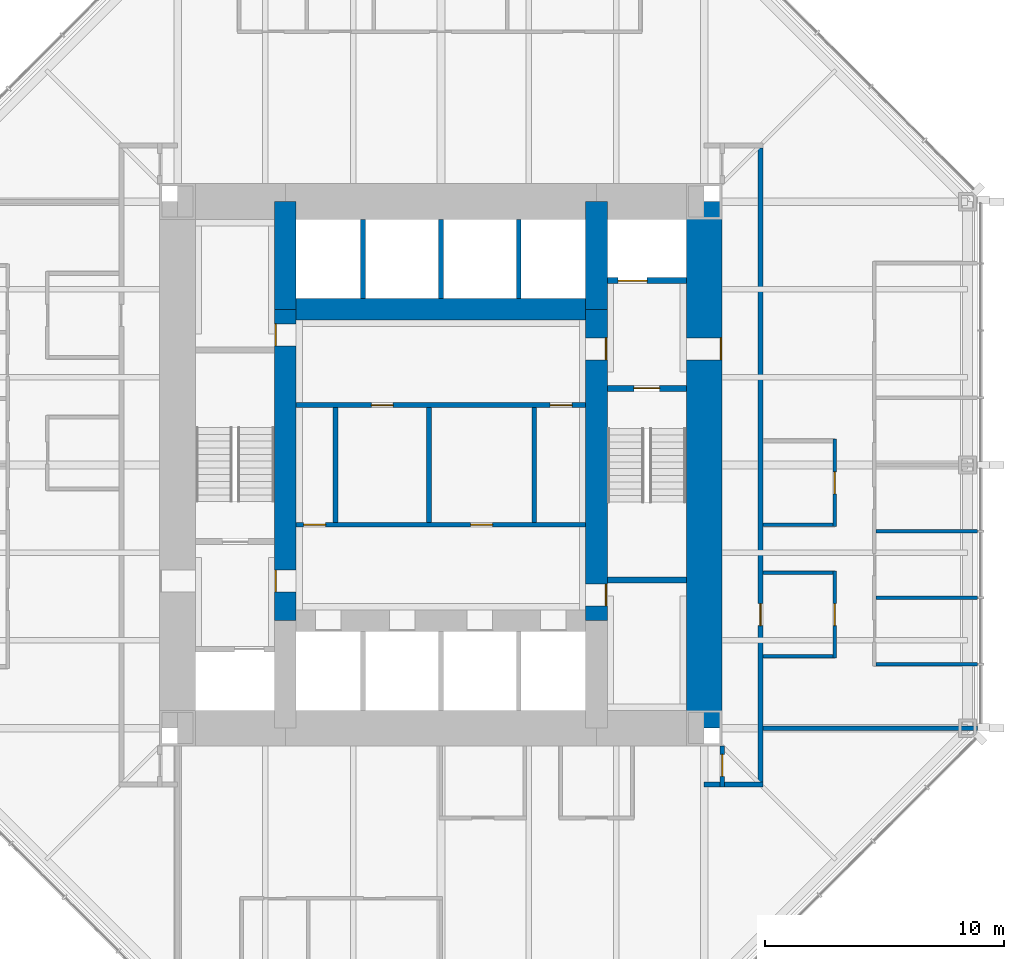
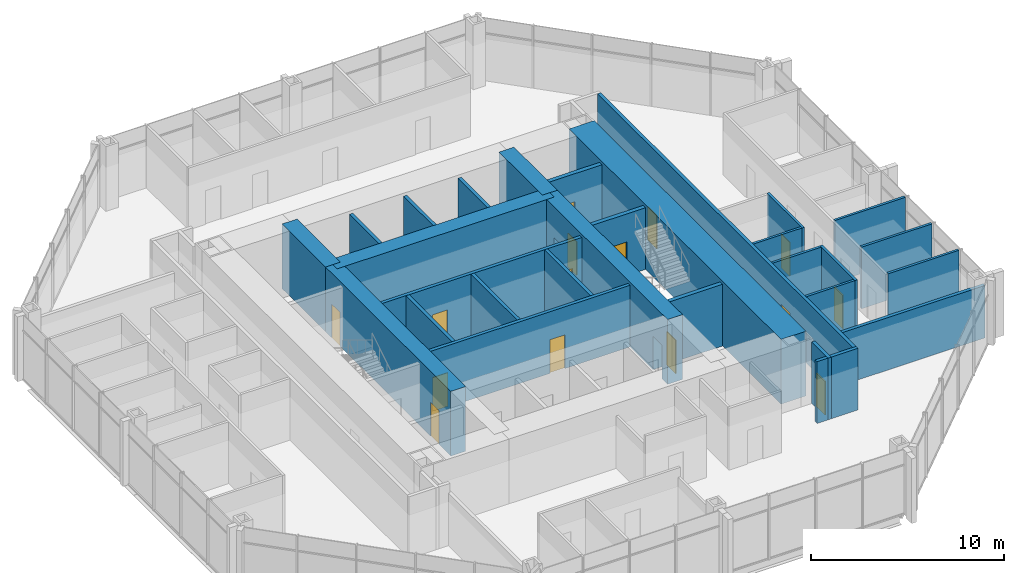
# One storey, part 10 of 12: 29 walls, 15 doors, 15 openings.
"""IFC4 building model written with IfcOpenShell, lengths in metres."""

from ifc_helpers import new_model, si_unit, direction, frame, frame_2d, origin, place, context, subcontext, project, spatial, rectangle, extrude, material, layer, layer_set, type_object, element, fill, save


model = new_model("IFC4")

# Units and contexts
model_context = context("Model", 3, precision=1e-05, world=origin(), true_north=direction((0.0, 1.0)))
body_context = subcontext(model_context, "Body", "Model", "MODEL_VIEW")
ifc_project = project(units=[si_unit("LENGTHUNIT", "METRE"), si_unit("AREAUNIT", "SQUARE_METRE"), si_unit("VOLUMEUNIT", "CUBIC_METRE"), si_unit("PLANEANGLEUNIT", "RADIAN"), si_unit("MASSUNIT", "GRAM", prefix="KILO")], contexts=[model_context])

# Site, building, storey
site_placement = place(None, origin())
site = spatial("IfcSite", under=ifc_project, at=site_placement, CompositionType="ELEMENT")
building_placement = place(site_placement, origin())
building = spatial("IfcBuilding", under=site, at=building_placement, Name="Trevanion Tower", CompositionType="ELEMENT")
storey_placement = place(building_placement, frame((0.0, 0.0, 117.199951171875)))
storey = spatial("IfcBuildingStorey", under=building, at=storey_placement, Name="L27", CompositionType="ELEMENT", Elevation=117.199951171875)

# Wall, opening, door
ifc_material_1 = material(Name="Concrete 10,000 psi", Category="concrete")
ifc_layer_1 = layer(ifc_material_1, 1.5)
ifc_layer_set_1 = layer_set([ifc_layer_1], Name="CW1 core wall 1500")
wall_type_1 = type_object("IfcWallType", Name="CW1 core wall 1500", PredefinedType="SHEAR", material=ifc_layer_set_1)
wall_1_placement = place(storey_placement, frame((11.0, -11.0, 0.0), z_axis=(0.0, 0.0, 1.0), x_axis=(0.0, 1.0, 0.0)))
wall_1 = element("IfcWall", 1, at=wall_1_placement, inside=storey, type_object=wall_type_1, Name="CW1 CE L27", PredefinedType="SHEAR", context=body_context, shape_type="SweptSolid", body=[
    extrude(rectangle(XDim=22.0, YDim=1.5, at=frame_2d((11.0, 0.0))), origin(), (0.0, 0.0, 1.0), 4.10009765625),
])
opening_1_placement = place(wall_1_placement, frame((15.392578125, 0.0, 0.0)))
opening_1 = element("IfcOpeningElement", 2, at=opening_1_placement, cuts=wall_1, Name="Opening 27-001", PredefinedType="OPENING", context=body_context, shape_type="SweptSolid", body=[
    extrude(rectangle(XDim=0.9150390625, YDim=2.134033203125, at=frame_2d((0.45751953125, 1.06689453125))), frame((0.0, 0.760009765625, 0.0), z_axis=(0.0, -1.0, 0.0), x_axis=(1.0, 0.0, 0.0)), (0.0, 0.0, 1.0), 1.52001953125),
])
ifc_material_2 = material(Name="Hollow metal, fire rated", Category="steel")
door_type_1 = type_object("IfcDoorType", Name="D3 fire lift lobby door", OperationType="SINGLE_SWING_RIGHT", PredefinedType="DOOR", material=ifc_material_2)
door_1_placement = place(opening_1_placement, origin())
door_1 = element("IfcDoor", 3, at=door_1_placement, inside=storey, type_object=door_type_1, Name="Door 27-001", OperationType="SINGLE_SWING_RIGHT", OverallHeight=2.134033203125, OverallWidth=0.9150390625, PredefinedType="DOOR", context=body_context, shape_type="SweptSolid", body=[
    extrude(rectangle(XDim=0.9150390625, YDim=2.134033203125, at=frame_2d((0.45751953125, 1.06689453125))), frame((0.0, -0.6748046875, 0.0), z_axis=(0.0, -1.0, 0.0), x_axis=(1.0, 0.0, 0.0)), (0.0, 0.0, 1.0), 0.050048828125),
])
fill(opening_1, door_1)

# Wall, openings, doors
ifc_material_3 = material(Name="Concrete 10,000 psi", Category="concrete")
ifc_layer_2 = layer(ifc_material_3, 0.89990234375)
ifc_layer_set_2 = layer_set([ifc_layer_2], Name="CW2 core wall 900")
wall_type_2 = type_object("IfcWallType", Name="CW2 core wall 900", PredefinedType="SHEAR", material=ifc_layer_set_2)
wall_2_placement = place(storey_placement, frame((6.5, -6.5, 0.0), z_axis=(0.0, 0.0, 1.0), x_axis=(0.0, 1.0, 0.0)))
wall_2 = element("IfcWall", 4, at=wall_2_placement, inside=storey, type_object=wall_type_2, Name="CW2 RE2 L27", PredefinedType="SHEAR", context=body_context, shape_type="SweptSolid", body=[
    extrude(rectangle(XDim=13.0, YDim=0.89990234375, at=frame_2d((6.5, 0.0))), origin(), (0.0, 0.0, 1.0), 4.10009765625),
])
opening_2_placement = place(wall_2_placement, frame((10.892578125, 0.0, 0.0)))
opening_2 = element("IfcOpeningElement", 5, at=opening_2_placement, cuts=wall_2, Name="Opening 27-003", PredefinedType="OPENING", context=body_context, shape_type="SweptSolid", body=[
    extrude(rectangle(XDim=0.9150390625, YDim=2.134033203125, at=frame_2d((0.45751953125, 1.06689453125))), frame((0.0, 0.4599609375, 0.0), z_axis=(0.0, -1.0, 0.0), x_axis=(1.0, 0.0, 0.0)), (0.0, 0.0, 1.0), 0.919921875),
])
opening_3_placement = place(wall_2_placement, frame((0.610107421875, 0.0, 0.0)))
opening_3 = element("IfcOpeningElement", 6, at=opening_3_placement, cuts=wall_2, Name="Opening 27-009", PredefinedType="OPENING", context=body_context, shape_type="SweptSolid", body=[
    extrude(rectangle(XDim=0.9150390625, YDim=2.134033203125, at=frame_2d((0.45751953125, 1.06689453125))), frame((0.0, 0.4599609375, 0.0), z_axis=(0.0, -1.0, 0.0), x_axis=(1.0, 0.0, 0.0)), (0.0, 0.0, 1.0), 0.919921875),
])
door_2_placement = place(opening_2_placement, origin())
door_2 = element("IfcDoor", 7, at=door_2_placement, inside=storey, type_object=door_type_1, Name="Door 27-003", OperationType="SINGLE_SWING_RIGHT", OverallHeight=2.134033203125, OverallWidth=0.9150390625, PredefinedType="DOOR", context=body_context, shape_type="SweptSolid", body=[
    extrude(rectangle(XDim=0.9150390625, YDim=2.134033203125, at=frame_2d((0.45751953125, 1.06689453125))), frame((0.0, -0.375, 0.0), z_axis=(0.0, -1.0, 0.0), x_axis=(1.0, 0.0, 0.0)), (0.0, 0.0, 1.0), 0.050048828125),
])
fill(opening_2, door_2)
ifc_material_4 = material(Name="Hollow metal, fire rated", Category="steel")
door_type_2 = type_object("IfcDoorType", Name="D5 service room door", OperationType="SINGLE_SWING_RIGHT", PredefinedType="DOOR", material=ifc_material_4)
door_3_placement = place(opening_3_placement, origin())
door_3 = element("IfcDoor", 8, at=door_3_placement, inside=storey, type_object=door_type_2, Name="Door 27-009", OperationType="SINGLE_SWING_RIGHT", OverallHeight=2.134033203125, OverallWidth=0.9150390625, PredefinedType="DOOR", context=body_context, shape_type="SweptSolid", body=[
    extrude(rectangle(XDim=0.9150390625, YDim=2.134033203125, at=frame_2d((0.45751953125, 1.06689453125))), frame((0.0, -0.375, 0.0), z_axis=(0.0, -1.0, 0.0), x_axis=(1.0, 0.0, 0.0)), (0.0, 0.0, 1.0), 0.050048828125),
])
fill(opening_3, door_3)

# Walls
for number, where, z_axis, x_axis, name in (
    (9, (6.5, 6.5, 0.0), (0.0, 0.0, 1.0), (0.0, 1.0, 0.0), "CW2 RE3 L27"),
    (10, (-6.5, 11.0, 0.0), (0.0, 0.0, 1.0), (0.0, -1.0, 0.0), "CW2 RW1 L27"),
):
    element("IfcWall", number, at=place(storey_placement, frame(where, z_axis=z_axis, x_axis=x_axis)), inside=storey, type_object=wall_type_2, Name=name, PredefinedType="SHEAR", context=body_context, shape_type="SweptSolid", body=[
        extrude(rectangle(XDim=4.5, YDim=0.89990234375, at=frame_2d((2.25, 0.0))), origin(), (0.0, 0.0, 1.0), 4.10009765625),
    ])

# Wall, openings, doors
wall_3_placement = place(storey_placement, frame((-6.5, 6.5, 0.0), z_axis=(0.0, 0.0, 1.0), x_axis=(0.0, -1.0, 0.0)))
wall_3 = element("IfcWall", 11, at=wall_3_placement, inside=storey, type_object=wall_type_2, Name="CW2 RW2 L27", PredefinedType="SHEAR", context=body_context, shape_type="SweptSolid", body=[
    extrude(rectangle(XDim=13.0, YDim=0.89990234375, at=frame_2d((6.5, 0.0))), origin(), (0.0, 0.0, 1.0), 4.10009765625),
])
opening_4_placement = place(wall_3_placement, frame((10.892578125, 0.0, 0.0)))
opening_4 = element("IfcOpeningElement", 12, at=opening_4_placement, cuts=wall_3, Name="Opening 27-004", PredefinedType="OPENING", context=body_context, shape_type="SweptSolid", body=[
    extrude(rectangle(XDim=0.9150390625, YDim=2.134033203125, at=frame_2d((0.45751953125, 1.06689453125))), frame((0.0, 0.4599609375, 0.0), z_axis=(0.0, -1.0, 0.0), x_axis=(1.0, 0.0, 0.0)), (0.0, 0.0, 1.0), 0.919921875),
])
opening_5_placement = place(wall_3_placement, frame((0.610107421875, 0.0, 0.0)))
opening_5 = element("IfcOpeningElement", 13, at=opening_5_placement, cuts=wall_3, Name="Opening 27-010", PredefinedType="OPENING", context=body_context, shape_type="SweptSolid", body=[
    extrude(rectangle(XDim=0.9150390625, YDim=2.134033203125, at=frame_2d((0.45751953125, 1.06689453125))), frame((0.0, 0.4599609375, 0.0), z_axis=(0.0, -1.0, 0.0), x_axis=(1.0, 0.0, 0.0)), (0.0, 0.0, 1.0), 0.919921875),
])
door_4_placement = place(opening_4_placement, origin())
door_4 = element("IfcDoor", 14, at=door_4_placement, inside=storey, type_object=door_type_1, Name="Door 27-004", OperationType="SINGLE_SWING_RIGHT", OverallHeight=2.134033203125, OverallWidth=0.9150390625, PredefinedType="DOOR", context=body_context, shape_type="SweptSolid", body=[
    extrude(rectangle(XDim=0.9150390625, YDim=2.134033203125, at=frame_2d((0.45751953125, 1.06689453125))), frame((0.0, -0.375, 0.0), z_axis=(0.0, -1.0, 0.0), x_axis=(1.0, 0.0, 0.0)), (0.0, 0.0, 1.0), 0.050048828125),
])
fill(opening_4, door_4)
door_5_placement = place(opening_5_placement, origin())
door_5 = element("IfcDoor", 15, at=door_5_placement, inside=storey, type_object=door_type_2, Name="Door 27-010", OperationType="SINGLE_SWING_RIGHT", OverallHeight=2.134033203125, OverallWidth=0.9150390625, PredefinedType="DOOR", context=body_context, shape_type="SweptSolid", body=[
    extrude(rectangle(XDim=0.9150390625, YDim=2.134033203125, at=frame_2d((0.45751953125, 1.06689453125))), frame((0.0, -0.375, 0.0), z_axis=(0.0, -1.0, 0.0), x_axis=(1.0, 0.0, 0.0)), (0.0, 0.0, 1.0), 0.050048828125),
])
fill(opening_5, door_5)

# Walls
wall_4_placement = place(storey_placement, frame((6.5, 6.5, 0.0), z_axis=(0.0, 0.0, 1.0), x_axis=(-1.0, 0.0, 0.0)))
element("IfcWall", 16, at=wall_4_placement, inside=storey, type_object=wall_type_2, Name="CW2 RN L27", PredefinedType="SHEAR", context=body_context, shape_type="SweptSolid", body=[
    extrude(rectangle(XDim=13.0, YDim=0.89990234375, at=frame_2d((6.5, 0.0))), origin(), (0.0, 0.0, 1.0), 4.10009765625),
])
ifc_material_5 = material(Name="Gypsum board on steel studs", Category="steel")
ifc_layer_3 = layer(ifc_material_5, 0.14990234375)
ifc_layer_set_3 = layer_set([ifc_layer_3], Name="PT1 partition 150")
wall_type_3 = type_object("IfcWallType", Name="PT1 partition 150", PredefinedType="PARTITIONING", material=ifc_layer_set_3)
for number, where, z_axis, x_axis, name in (
    (17, (18.175048828125, -8.322998046875, 0.0), (0.0, 0.0, 1.0), (1.0, 0.0, 0.0), "PT1 L27 FC0S0"),
    (18, (18.175048828125, -5.549072265625, 0.0), (0.0, 0.0, 1.0), (1.0, 0.0, 0.0), "PT1 L27 FC0S1"),
    (19, (18.175048828125, -2.77490234375, 0.0), (0.0, 0.0, 1.0), (1.0, 0.0, 0.0), "PT1 L27 FC0S2"),
):
    element("IfcWall", number, at=place(storey_placement, frame(where, z_axis=z_axis, x_axis=x_axis)), inside=storey, type_object=wall_type_3, Name=name, PredefinedType="PARTITIONING", context=body_context, shape_type="SweptSolid", body=[
        extrude(rectangle(XDim=4.239990234375, YDim=0.14990234375, at=frame_2d((2.1201171875, 0.0))), origin(), (0.0, 0.0, 1.0), 3.91015625),
    ])

# Wall, opening, door
wall_5_placement = place(storey_placement, frame((16.449951171875, -8.074951171875, 0.0), z_axis=(0.0, 0.0, 1.0), x_axis=(0.0, 1.0, 0.0)))
wall_5 = element("IfcWall", 20, at=wall_5_placement, inside=storey, type_object=wall_type_3, Name="PT1 L27 IN00F", PredefinedType="PARTITIONING", context=body_context, shape_type="SweptSolid", body=[
    extrude(rectangle(XDim=3.64990234375, YDim=0.14990234375, at=frame_2d((1.824951171875, 0.0))), origin(), (0.0, 0.0, 1.0), 3.91015625),
])
opening_6_placement = place(wall_5_placement, frame((1.367431640625, 0.0, 0.0)))
opening_6 = element("IfcOpeningElement", 21, at=opening_6_placement, cuts=wall_5, Name="Opening 27-039", PredefinedType="OPENING", context=body_context, shape_type="SweptSolid", body=[
    extrude(rectangle(XDim=0.9150390625, YDim=2.134033203125, at=frame_2d((0.45751953125, 1.06689453125))), frame((0.0, 0.0849609375, 0.0), z_axis=(0.0, -1.0, 0.0), x_axis=(1.0, 0.0, 0.0)), (0.0, 0.0, 1.0), 0.169921875),
])
ifc_material_6 = material(Name="Timber veneer, solid core", Category="wood")
door_type_3 = type_object("IfcDoorType", Name="D1 office and meeting room door", OperationType="SINGLE_SWING_LEFT", PredefinedType="DOOR", material=ifc_material_6)
door_6_placement = place(opening_6_placement, origin())
door_6 = element("IfcDoor", 22, at=door_6_placement, inside=storey, type_object=door_type_3, Name="Door 27-039", OperationType="SINGLE_SWING_LEFT", OverallHeight=2.134033203125, OverallWidth=0.9150390625, PredefinedType="DOOR", context=body_context, shape_type="SweptSolid", body=[
    extrude(rectangle(XDim=0.9150390625, YDim=2.134033203125, at=frame_2d((0.45751953125, 1.06689453125))), frame((0.0, 0.02490234375, 0.0), z_axis=(0.0, -1.0, 0.0), x_axis=(1.0, 0.0, 0.0)), (0.0, 0.0, 1.0), 0.050048828125),
])
fill(opening_6, door_6)

# Walls
for number, where, z_axis, x_axis, name in (
    (23, (16.375, -8.0, 0.0), (0.0, 0.0, 1.0), (-1.0, 0.0, 0.0), "PT1 L27 IN00S0"),
    (24, (16.375, -4.5, 0.0), (0.0, 0.0, 1.0), (-1.0, 0.0, 0.0), "PT1 L27 IN00S1"),
):
    element("IfcWall", number, at=place(storey_placement, frame(where, z_axis=z_axis, x_axis=x_axis)), inside=storey, type_object=wall_type_3, Name=name, PredefinedType="PARTITIONING", context=body_context, shape_type="SweptSolid", body=[
        extrude(rectangle(XDim=2.925048828125, YDim=0.14990234375, at=frame_2d((1.46240234375, 0.0))), origin(), (0.0, 0.0, 1.0), 3.91015625),
    ])

# Wall, opening, door
wall_6_placement = place(storey_placement, frame((16.449951171875, -2.574951171875, 0.0), z_axis=(0.0, 0.0, 1.0), x_axis=(0.0, 1.0, 0.0)))
wall_6 = element("IfcWall", 25, at=wall_6_placement, inside=storey, type_object=wall_type_3, Name="PT1 L27 IN01F", PredefinedType="PARTITIONING", context=body_context, shape_type="SweptSolid", body=[
    extrude(rectangle(XDim=3.64990234375, YDim=0.14990234375, at=frame_2d((1.824951171875, 0.0))), origin(), (0.0, 0.0, 1.0), 3.91015625),
])
opening_7_placement = place(wall_6_placement, frame((1.367431640625, 0.0, 0.0)))
opening_7 = element("IfcOpeningElement", 26, at=opening_7_placement, cuts=wall_6, Name="Opening 27-041", PredefinedType="OPENING", context=body_context, shape_type="SweptSolid", body=[
    extrude(rectangle(XDim=0.9150390625, YDim=2.134033203125, at=frame_2d((0.45751953125, 1.06689453125))), frame((0.0, 0.0849609375, 0.0), z_axis=(0.0, -1.0, 0.0), x_axis=(1.0, 0.0, 0.0)), (0.0, 0.0, 1.0), 0.169921875),
])
door_7_placement = place(opening_7_placement, origin())
door_7 = element("IfcDoor", 27, at=door_7_placement, inside=storey, type_object=door_type_3, Name="Door 27-041", OperationType="SINGLE_SWING_LEFT", OverallHeight=2.134033203125, OverallWidth=0.9150390625, PredefinedType="DOOR", context=body_context, shape_type="SweptSolid", body=[
    extrude(rectangle(XDim=0.9150390625, YDim=2.134033203125, at=frame_2d((0.45751953125, 1.06689453125))), frame((0.0, 0.02490234375, 0.0), z_axis=(0.0, -1.0, 0.0), x_axis=(1.0, 0.0, 0.0)), (0.0, 0.0, 1.0), 0.050048828125),
])
fill(opening_7, door_7)

# Walls
wall_7_placement = place(storey_placement, frame((16.375, -2.5, 0.0), z_axis=(0.0, 0.0, 1.0), x_axis=(-1.0, 0.0, 0.0)))
element("IfcWall", 28, at=wall_7_placement, inside=storey, type_object=wall_type_3, Name="PT1 L27 IN01S0", PredefinedType="PARTITIONING", context=body_context, shape_type="SweptSolid", body=[
    extrude(rectangle(XDim=2.925048828125, YDim=0.14990234375, at=frame_2d((1.46240234375, 0.0))), origin(), (0.0, 0.0, 1.0), 3.91015625),
])
ifc_material_7 = material(Name="Concrete masonry, grouted", Category="masonry")
ifc_layer_4 = layer(ifc_material_7, 0.199951171875)
ifc_layer_set_4 = layer_set([ifc_layer_4], Name="PT2 partition 200")
wall_type_4 = type_object("IfcWallType", Name="PT2 partition 200", PredefinedType="PARTITIONING", material=ifc_layer_set_4)
for number, where, z_axis, x_axis, name in (
    (29, (-4.39990234375, -2.39990234375, 0.0), (0.0, 0.0, 1.0), (0.0, 1.0, 0.0), "PT2 L27 TP1"),
    (30, (-0.5, -2.39990234375, 0.0), (0.0, 0.0, 1.0), (0.0, 1.0, 0.0), "PT2 L27 TP2"),
    (31, (3.89990234375, -2.39990234375, 0.0), (0.0, 0.0, 1.0), (0.0, 1.0, 0.0), "PT2 L27 TP3"),
):
    element("IfcWall", number, at=place(storey_placement, frame(where, z_axis=z_axis, x_axis=x_axis)), inside=storey, type_object=wall_type_4, Name=name, PredefinedType="PARTITIONING", context=body_context, shape_type="SweptSolid", body=[
        extrude(rectangle(XDim=4.7998046875, YDim=0.199951171875, at=frame_2d((2.39990234375, 0.0))), origin(), (0.0, 0.0, 1.0), 3.91015625),
    ])

# Wall, openings, doors
ifc_material_8 = material(Name="Concrete masonry, grouted", Category="masonry")
ifc_layer_5 = layer(ifc_material_8, 0.199951171875)
ifc_layer_set_5 = layer_set([ifc_layer_5], Name="PT2 partition 200 1 HR")
wall_type_5 = type_object("IfcWallType", Name="PT2 partition 200 1 HR", PredefinedType="PARTITIONING", material=ifc_layer_set_5)
wall_8_placement = place(storey_placement, frame((-6.050048828125, 2.5, 0.0), z_axis=(0.0, 0.0, 1.0), x_axis=(1.0, 0.0, 0.0)))
wall_8 = element("IfcWall", 32, at=wall_8_placement, inside=storey, type_object=wall_type_5, Name="PT2 L27 CP1", PredefinedType="PARTITIONING", context=body_context, shape_type="SweptSolid", body=[
    extrude(rectangle(XDim=12.10009765625, YDim=0.199951171875, at=frame_2d((6.050048828125, 0.0))), origin(), (0.0, 0.0, 1.0), 3.91015625),
])
opening_8_placement = place(wall_8_placement, frame((3.142578125, 0.0, 0.0)))
opening_8 = element("IfcOpeningElement", 33, at=opening_8_placement, cuts=wall_8, Name="Opening 27-016", PredefinedType="OPENING", context=body_context, shape_type="SweptSolid", body=[
    extrude(rectangle(XDim=0.9150390625, YDim=2.134033203125, at=frame_2d((0.45751953125, 1.06689453125))), frame((0.0, 0.10986328125, 0.0), z_axis=(0.0, -1.0, 0.0), x_axis=(1.0, 0.0, 0.0)), (0.0, 0.0, 1.0), 0.219970703125),
])
opening_9_placement = place(wall_8_placement, frame((10.617431640625, 0.0, 0.0)))
opening_9 = element("IfcOpeningElement", 34, at=opening_9_placement, cuts=wall_8, Name="Opening 27-018", PredefinedType="OPENING", context=body_context, shape_type="SweptSolid", body=[
    extrude(rectangle(XDim=0.9150390625, YDim=2.134033203125, at=frame_2d((0.45751953125, 1.06689453125))), frame((0.0, 0.10986328125, 0.0), z_axis=(0.0, -1.0, 0.0), x_axis=(1.0, 0.0, 0.0)), (0.0, 0.0, 1.0), 0.219970703125),
])
ifc_material_9 = material(Name="Plastic laminate on fire-rated core", Category="wood")
door_type_4 = type_object("IfcDoorType", Name="D12 toilet door in a one hour wall", OperationType="SINGLE_SWING_LEFT", PredefinedType="DOOR", material=ifc_material_9)
door_8_placement = place(opening_8_placement, origin())
door_8 = element("IfcDoor", 35, at=door_8_placement, inside=storey, type_object=door_type_4, Name="Door 27-016", OperationType="SINGLE_SWING_LEFT", OverallHeight=2.134033203125, OverallWidth=0.9150390625, PredefinedType="DOOR", context=body_context, shape_type="SweptSolid", body=[
    extrude(rectangle(XDim=0.9150390625, YDim=2.134033203125, at=frame_2d((0.45751953125, 1.06689453125))), frame((0.0, 0.02490234375, 0.0), z_axis=(0.0, -1.0, 0.0), x_axis=(1.0, 0.0, 0.0)), (0.0, 0.0, 1.0), 0.050048828125),
])
fill(opening_8, door_8)
door_9_placement = place(opening_9_placement, origin())
door_9 = element("IfcDoor", 36, at=door_9_placement, inside=storey, type_object=door_type_4, Name="Door 27-018", OperationType="SINGLE_SWING_LEFT", OverallHeight=2.134033203125, OverallWidth=0.9150390625, PredefinedType="DOOR", context=body_context, shape_type="SweptSolid", body=[
    extrude(rectangle(XDim=0.9150390625, YDim=2.134033203125, at=frame_2d((0.45751953125, 1.06689453125))), frame((0.0, 0.02490234375, 0.0), z_axis=(0.0, -1.0, 0.0), x_axis=(1.0, 0.0, 0.0)), (0.0, 0.0, 1.0), 0.050048828125),
])
fill(opening_9, door_9)

wall_9_placement = place(storey_placement, frame((6.050048828125, -2.5, 0.0), z_axis=(0.0, 0.0, 1.0), x_axis=(-1.0, 0.0, 0.0)))
wall_9 = element("IfcWall", 37, at=wall_9_placement, inside=storey, type_object=wall_type_5, Name="PT2 L27 CP2", PredefinedType="PARTITIONING", context=body_context, shape_type="SweptSolid", body=[
    extrude(rectangle(XDim=12.10009765625, YDim=0.199951171875, at=frame_2d((6.050048828125, 0.0))), origin(), (0.0, 0.0, 1.0), 3.91015625),
])
opening_10_placement = place(wall_9_placement, frame((10.867431640625, 0.0, 0.0)))
opening_10 = element("IfcOpeningElement", 38, at=opening_10_placement, cuts=wall_9, Name="Opening 27-015", PredefinedType="OPENING", context=body_context, shape_type="SweptSolid", body=[
    extrude(rectangle(XDim=0.9150390625, YDim=2.134033203125, at=frame_2d((0.45751953125, 1.06689453125))), frame((0.0, 0.10986328125, 0.0), z_axis=(0.0, -1.0, 0.0), x_axis=(1.0, 0.0, 0.0)), (0.0, 0.0, 1.0), 0.219970703125),
])
opening_11_placement = place(wall_9_placement, frame((3.892578125, 0.0, 0.0)))
opening_11 = element("IfcOpeningElement", 39, at=opening_11_placement, cuts=wall_9, Name="Opening 27-017", PredefinedType="OPENING", context=body_context, shape_type="SweptSolid", body=[
    extrude(rectangle(XDim=0.9150390625, YDim=2.134033203125, at=frame_2d((0.45751953125, 1.06689453125))), frame((0.0, 0.10986328125, 0.0), z_axis=(0.0, -1.0, 0.0), x_axis=(1.0, 0.0, 0.0)), (0.0, 0.0, 1.0), 0.219970703125),
])
door_10_placement = place(opening_11_placement, origin())
door_10 = element("IfcDoor", 40, at=door_10_placement, inside=storey, type_object=door_type_4, Name="Door 27-017", OperationType="SINGLE_SWING_LEFT", OverallHeight=2.134033203125, OverallWidth=0.9150390625, PredefinedType="DOOR", context=body_context, shape_type="SweptSolid", body=[
    extrude(rectangle(XDim=0.9150390625, YDim=2.134033203125, at=frame_2d((0.45751953125, 1.06689453125))), frame((0.0, 0.02490234375, 0.0), z_axis=(0.0, -1.0, 0.0), x_axis=(1.0, 0.0, 0.0)), (0.0, 0.0, 1.0), 0.050048828125),
])
fill(opening_11, door_10)
door_11_placement = place(opening_10_placement, origin())
door_11 = element("IfcDoor", 41, at=door_11_placement, inside=storey, type_object=door_type_2, Name="Door 27-015", OperationType="SINGLE_SWING_RIGHT", OverallHeight=2.134033203125, OverallWidth=0.9150390625, PredefinedType="DOOR", context=body_context, shape_type="SweptSolid", body=[
    extrude(rectangle(XDim=0.9150390625, YDim=2.134033203125, at=frame_2d((0.45751953125, 1.06689453125))), frame((0.0, 0.02490234375, 0.0), z_axis=(0.0, -1.0, 0.0), x_axis=(1.0, 0.0, 0.0)), (0.0, 0.0, 1.0), 0.050048828125),
])
fill(opening_10, door_11)

# Wall, opening, door
wall_10_placement = place(storey_placement, frame((13.35009765625, -13.449951171875, 0.0), z_axis=(0.0, 0.0, 1.0), x_axis=(0.0, 1.0, 0.0)))
wall_10 = element("IfcWall", 42, at=wall_10_placement, inside=storey, type_object=wall_type_5, Name="PT2 L27 OC0", PredefinedType="PARTITIONING", context=body_context, shape_type="SweptSolid", body=[
    extrude(rectangle(XDim=26.699951171875, YDim=0.199951171875, at=frame_2d((13.35009765625, 0.0))), origin(), (0.0, 0.0, 1.0), 3.91015625),
])
opening_12_placement = place(wall_10_placement, frame((6.742431640625, 0.0, 0.0)))
opening_12 = element("IfcOpeningElement", 43, at=opening_12_placement, cuts=wall_10, Name="Opening 27-040", PredefinedType="OPENING", context=body_context, shape_type="SweptSolid", body=[
    extrude(rectangle(XDim=0.9150390625, YDim=2.134033203125, at=frame_2d((0.45751953125, 1.06689453125))), frame((0.0, 0.10986328125, 0.0), z_axis=(0.0, -1.0, 0.0), x_axis=(1.0, 0.0, 0.0)), (0.0, 0.0, 1.0), 0.219970703125),
])
ifc_material_10 = material(Name="Timber veneer, fire rated", Category="wood")
door_type_5 = type_object("IfcDoorType", Name="D10 office door in a one hour wall", OperationType="SINGLE_SWING_LEFT", PredefinedType="DOOR", material=ifc_material_10)
door_12_placement = place(opening_12_placement, origin())
door_12 = element("IfcDoor", 44, at=door_12_placement, inside=storey, type_object=door_type_5, Name="Door 27-040", OperationType="SINGLE_SWING_LEFT", OverallHeight=2.134033203125, OverallWidth=0.9150390625, PredefinedType="DOOR", context=body_context, shape_type="SweptSolid", body=[
    extrude(rectangle(XDim=0.9150390625, YDim=2.134033203125, at=frame_2d((0.45751953125, 1.06689453125))), frame((0.0, 0.02490234375, 0.0), z_axis=(0.0, -1.0, 0.0), x_axis=(1.0, 0.0, 0.0)), (0.0, 0.0, 1.0), 0.050048828125),
])
fill(opening_12, door_12)

wall_11_placement = place(storey_placement, frame((11.75, -11.75, 0.0), z_axis=(0.0, 0.0, 1.0), x_axis=(0.0, -1.0, 0.0)))
wall_11 = element("IfcWall", 45, at=wall_11_placement, inside=storey, type_object=wall_type_5, Name="PT2 L27 OUSE1", PredefinedType="PARTITIONING", context=body_context, shape_type="SweptSolid", body=[
    extrude(rectangle(XDim=1.699951171875, YDim=0.199951171875, at=frame_2d((0.85009765625, 0.0))), origin(), (0.0, 0.0, 1.0), 3.91015625),
])
opening_13_placement = place(wall_11_placement, frame((0.342529296875, 0.0, 0.0)))
opening_13 = element("IfcOpeningElement", 46, at=opening_13_placement, cuts=wall_11, Name="Opening 27-021", PredefinedType="OPENING", context=body_context, shape_type="SweptSolid", body=[
    extrude(rectangle(XDim=0.9150390625, YDim=2.134033203125, at=frame_2d((0.45751953125, 1.06689453125))), frame((0.0, 0.10986328125, 0.0), z_axis=(0.0, -1.0, 0.0), x_axis=(1.0, 0.0, 0.0)), (0.0, 0.0, 1.0), 0.219970703125),
])
door_13_placement = place(opening_13_placement, origin())
door_13 = element("IfcDoor", 47, at=door_13_placement, inside=storey, type_object=door_type_5, Name="Door 27-021", OperationType="SINGLE_SWING_LEFT", OverallHeight=2.134033203125, OverallWidth=0.9150390625, PredefinedType="DOOR", context=body_context, shape_type="SweptSolid", body=[
    extrude(rectangle(XDim=0.9150390625, YDim=2.134033203125, at=frame_2d((0.45751953125, 1.06689453125))), frame((0.0, 0.02490234375, 0.0), z_axis=(0.0, -1.0, 0.0), x_axis=(1.0, 0.0, 0.0)), (0.0, 0.0, 1.0), 0.050048828125),
])
fill(opening_13, door_13)

# Walls
wall_12_placement = place(storey_placement, frame((11.0, -13.35009765625, 0.0), z_axis=(0.0, 0.0, 1.0), x_axis=(1.0, 0.0, 0.0)))
element("IfcWall", 48, at=wall_12_placement, inside=storey, type_object=wall_type_5, Name="PT2 L27 OUSE2", PredefinedType="PARTITIONING", context=body_context, shape_type="SweptSolid", body=[
    extrude(rectangle(XDim=2.449951171875, YDim=0.199951171875, at=frame_2d((1.22509765625, 0.0))), origin(), (0.0, 0.0, 1.0), 3.91015625),
])
wall_13_placement = place(storey_placement, frame((13.449951171875, -11.0, 0.0), z_axis=(0.0, 0.0, 1.0), x_axis=(1.0, 0.0, 0.0)))
element("IfcWall", 49, at=wall_13_placement, inside=storey, type_object=wall_type_5, Name="PT2 L27 DM3", PredefinedType="PARTITIONING", context=body_context, shape_type="SweptSolid", body=[
    extrude(rectangle(XDim=8.965087890625, YDim=0.199951171875, at=frame_2d((4.482421875, 0.0))), origin(), (0.0, 0.0, 1.0), 3.325927734375),
])
ifc_material_11 = material(Name="Concrete masonry, grouted", Category="masonry")
ifc_layer_6 = layer(ifc_material_11, 0.199951171875)
ifc_layer_set_6 = layer_set([ifc_layer_6], Name="PT2 partition 200 2 HR")
wall_type_6 = type_object("IfcWallType", Name="PT2 partition 200 2 HR", PredefinedType="PARTITIONING", material=ifc_layer_set_6)
for number, where, z_axis, x_axis, name in (
    (50, (-3.25, 6.949951171875, 0.0), (0.0, 0.0, 1.0), (0.0, 1.0, 0.0), "PT2 L27 NS0"),
    (51, (0.0, 6.949951171875, 0.0), (0.0, 0.0, 1.0), (0.0, 1.0, 0.0), "PT2 L27 NS1"),
    (52, (3.25, 6.949951171875, 0.0), (0.0, 0.0, 1.0), (0.0, 1.0, 0.0), "PT2 L27 NS2"),
):
    element("IfcWall", number, at=place(storey_placement, frame(where, z_axis=z_axis, x_axis=x_axis)), inside=storey, type_object=wall_type_6, Name=name, PredefinedType="PARTITIONING", context=body_context, shape_type="SweptSolid", body=[
        extrude(rectangle(XDim=3.300048828125, YDim=0.199951171875, at=frame_2d((1.64990234375, 0.0))), origin(), (0.0, 0.0, 1.0), 3.91015625),
    ])

# Wall, opening, door
ifc_material_12 = material(Name="Concrete masonry, grouted, two-hour", Category="masonry")
ifc_layer_7 = layer(ifc_material_12, 0.25)
ifc_layer_set_7 = layer_set([ifc_layer_7], Name="PT3 partition 250 2 HR")
wall_type_7 = type_object("IfcWallType", Name="PT3 partition 250 2 HR", PredefinedType="PARTITIONING", material=ifc_layer_set_7)
wall_14_placement = place(storey_placement, frame((6.949951171875, 7.699951171875, 0.0), z_axis=(0.0, 0.0, 1.0), x_axis=(1.0, 0.0, 0.0)))
wall_14 = element("IfcWall", 53, at=wall_14_placement, inside=storey, type_object=wall_type_7, Name="PT3 L27 EP3", PredefinedType="PARTITIONING", context=body_context, shape_type="SweptSolid", body=[
    extrude(rectangle(XDim=3.300048828125, YDim=0.25, at=frame_2d((1.64990234375, 0.0))), origin(), (0.0, 0.0, 1.0), 3.91015625),
])
opening_14_placement = place(wall_14_placement, frame((0.449951171875, 0.0, 0.0)))
opening_14 = element("IfcOpeningElement", 54, at=opening_14_placement, cuts=wall_14, Name="Opening 27-007", PredefinedType="OPENING", context=body_context, shape_type="SweptSolid", body=[
    extrude(rectangle(XDim=1.218994140625, YDim=2.134033203125, at=frame_2d((0.609375, 1.06689453125))), frame((0.0, 0.135009765625, 0.0), z_axis=(0.0, -1.0, 0.0), x_axis=(1.0, 0.0, 0.0)), (0.0, 0.0, 1.0), 0.27001953125),
])
ifc_material_13 = material(Name="Stainless steel, fire rated", Category="steel")
door_type_6 = type_object("IfcDoorType", Name="LD2 fire service lift landing door", OperationType="SLIDING_TO_LEFT", PredefinedType="DOOR", material=ifc_material_13)
door_14_placement = place(opening_14_placement, origin())
door_14 = element("IfcDoor", 55, at=door_14_placement, inside=storey, type_object=door_type_6, Name="Door 27-007", OperationType="SLIDING_TO_LEFT", OverallHeight=2.134033203125, OverallWidth=1.218994140625, PredefinedType="DOOR", context=body_context, shape_type="SweptSolid", body=[
    extrude(rectangle(XDim=1.218994140625, YDim=2.134033203125, at=frame_2d((0.609375, 1.06689453125))), frame((0.0, 0.02490234375, 0.0), z_axis=(0.0, -1.0, 0.0), x_axis=(1.0, 0.0, 0.0)), (0.0, 0.0, 1.0), 0.050048828125),
])
fill(opening_14, door_14)

# Wall
ifc_material_14 = material(Name="Reinforced masonry, fully grouted", Category="masonry")
ifc_layer_8 = layer(ifc_material_14, 0.25)
ifc_layer_set_8 = layer_set([ifc_layer_8], Name="SW1 stair shaft wall 250")
wall_type_8 = type_object("IfcWallType", Name="SW1 stair shaft wall 250", PredefinedType="SOLIDWALL", material=ifc_layer_set_8)
wall_15_placement = place(storey_placement, frame((6.949951171875, -4.800048828125, 0.0), z_axis=(0.0, 0.0, 1.0), x_axis=(1.0, 0.0, 0.0)))
element("IfcWall", 56, at=wall_15_placement, inside=storey, type_object=wall_type_8, Name="SW1 L27 EP1", PredefinedType="SOLIDWALL", context=body_context, shape_type="SweptSolid", body=[
    extrude(rectangle(XDim=3.300048828125, YDim=0.25, at=frame_2d((1.64990234375, 0.0))), origin(), (0.0, 0.0, 1.0), 3.91015625),
])

# Wall, opening, door
wall_16_placement = place(storey_placement, frame((6.949951171875, 3.199951171875, 0.0), z_axis=(0.0, 0.0, 1.0), x_axis=(1.0, 0.0, 0.0)))
wall_16 = element("IfcWall", 57, at=wall_16_placement, inside=storey, type_object=wall_type_8, Name="SW1 L27 EP2", PredefinedType="SOLIDWALL", context=body_context, shape_type="SweptSolid", body=[
    extrude(rectangle(XDim=3.300048828125, YDim=0.25, at=frame_2d((1.64990234375, 0.0))), origin(), (0.0, 0.0, 1.0), 3.91015625),
])
opening_15_placement = place(wall_16_placement, frame((1.116455078125, 0.0, 0.0)))
opening_15 = element("IfcOpeningElement", 58, at=opening_15_placement, cuts=wall_16, Name="Opening 27-005", PredefinedType="OPENING", context=body_context, shape_type="SweptSolid", body=[
    extrude(rectangle(XDim=1.06689453125, YDim=2.134033203125, at=frame_2d((0.533447265625, 1.06689453125))), frame((0.0, 0.135009765625, 0.0), z_axis=(0.0, -1.0, 0.0), x_axis=(1.0, 0.0, 0.0)), (0.0, 0.0, 1.0), 0.27001953125),
])
ifc_material_15 = material(Name="Hollow metal, fire rated", Category="steel")
door_type_7 = type_object("IfcDoorType", Name="D2 exit stair door", OperationType="SINGLE_SWING_LEFT", PredefinedType="DOOR", material=ifc_material_15)
door_15_placement = place(opening_15_placement, origin())
door_15 = element("IfcDoor", 59, at=door_15_placement, inside=storey, type_object=door_type_7, Name="Door 27-005", OperationType="SINGLE_SWING_LEFT", OverallHeight=2.134033203125, OverallWidth=1.06689453125, PredefinedType="DOOR", context=body_context, shape_type="SweptSolid", body=[
    extrude(rectangle(XDim=1.06689453125, YDim=2.134033203125, at=frame_2d((0.533447265625, 1.06689453125))), frame((0.0, 0.02490234375, 0.0), z_axis=(0.0, -1.0, 0.0), x_axis=(1.0, 0.0, 0.0)), (0.0, 0.0, 1.0), 0.050048828125),
])
fill(opening_15, door_15)

save(model, "model.ifc")
